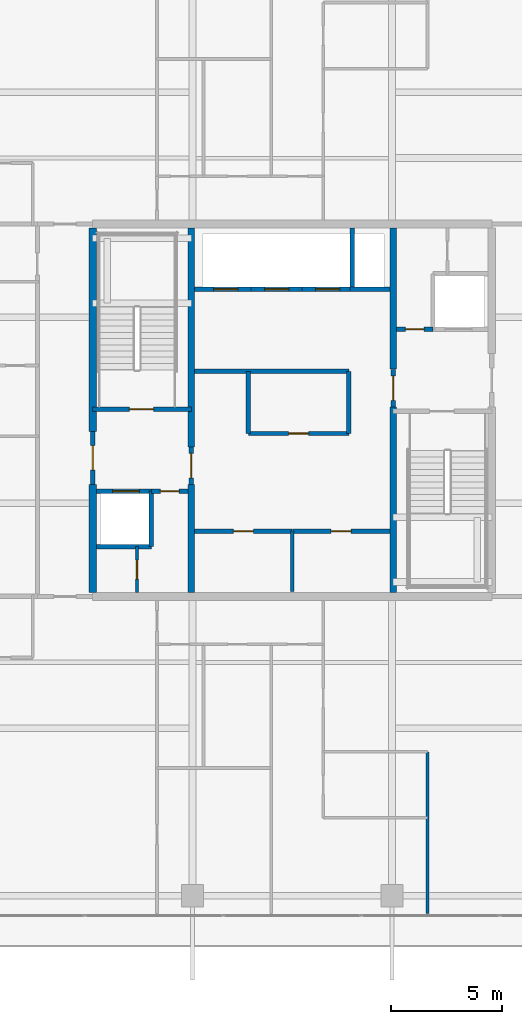
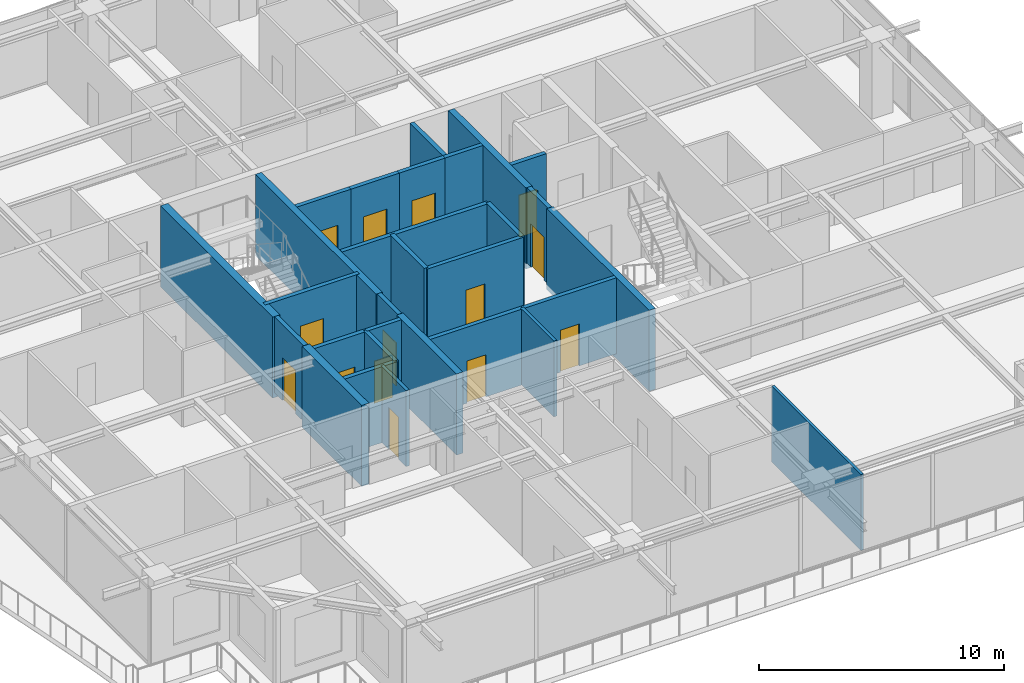
# One storey, part 27 of 37: 29 walls, 14 doors, 14 openings.
"""IFC4 building model written with IfcOpenShell, lengths in metres."""

from ifc_helpers import new_model, si_unit, direction, frame, frame_2d, origin, place, context, subcontext, project, spatial, rectangle, extrude, source, transform, mapped, material, layer, layer_set, type_object, element, fill, save


model = new_model("IFC4")

# Units and contexts
model_context = context("Model", 3, precision=1e-05, world=origin(), true_north=direction((0.0, 1.0)))
body_context = subcontext(model_context, "Body", "Model", "MODEL_VIEW")
ifc_project = project(units=[si_unit("LENGTHUNIT", "METRE"), si_unit("AREAUNIT", "SQUARE_METRE"), si_unit("VOLUMEUNIT", "CUBIC_METRE"), si_unit("PLANEANGLEUNIT", "RADIAN"), si_unit("MASSUNIT", "GRAM", prefix="KILO")], contexts=[model_context])

# Site, building, storey
site_placement = place(None, origin())
site = spatial("IfcSite", under=ifc_project, at=site_placement, CompositionType="ELEMENT")
building_placement = place(site_placement, origin())
building = spatial("IfcBuilding", under=site, at=building_placement, Name="Serunith Strait Residences", CompositionType="ELEMENT")
storey_placement = place(building_placement, frame((0.0, 0.0, 317.75)))
storey = spatial("IfcBuildingStorey", under=building, at=storey_placement, Name="L79", CompositionType="ELEMENT", Elevation=317.75)

# Wall, opening, door
ifc_material_1 = material(Name="Fire-rated masonry service closet wall", Category="masonry")
ifc_layer_1 = layer(ifc_material_1, 0.14990234375, Name="Fire-rated masonry service closet wall")
ifc_layer_set_1 = layer_set([ifc_layer_1], Name="Fire-rated masonry service closet wall")
wall_type_1 = type_object("IfcWallType", Name="IW-BOH-150", PredefinedType="PARTITIONING", material=ifc_layer_set_1)
wall_1_placement = place(storey_placement, frame((25.39990234375, 16.97509765625, 0.0), z_axis=(0.0, 0.0, 1.0), x_axis=(0.0, 1.0, 0.0)))
wall_1 = element("IfcWall", 1, at=wall_1_placement, inside=storey, type_object=wall_type_1, Name="L79 Partition Wall 011", PredefinedType="PARTITIONING", context=body_context, shape_type="SweptSolid", body=[
    extrude(rectangle(XDim=2.074951171875, YDim=0.14990234375, at=frame_2d((1.03759765625, 0.0))), origin(), (0.0, 0.0, 1.0), 3.7900390625),
])
opening_1_placement = place(wall_1_placement, frame((0.612060546875, 0.0, 0.0)))
opening_1 = element("IfcOpeningElement", 2, at=opening_1_placement, cuts=wall_1, Name="Opening FD-850", PredefinedType="OPENING", context=body_context, shape_type="SweptSolid", body=[
    extrude(rectangle(XDim=0.85009765625, YDim=2.10009765625, at=frame_2d((0.425048828125, 1.050048828125))), frame((0.0, 0.0849609375, 0.0), z_axis=(0.0, -1.0, 0.0), x_axis=(1.0, 0.0, 0.0)), (0.0, 0.0, 1.0), 0.169921875),
])
ifc_material_2 = material(Name="Powder-coated steel service closet door", Category="steel")
door_type_1 = type_object("IfcDoorType", Name="FD-BOH-850", OperationType="NOTDEFINED", PredefinedType="DOOR", material=ifc_material_2)
shared_shape_1 = source(origin(), body_context, "Body", "SweptSolid", [
    extrude(rectangle(XDim=0.85009765625, YDim=2.10009765625, at=frame_2d((0.425048828125, 1.050048828125))), frame((0.0, 0.02490234375, 0.0), z_axis=(0.0, -1.0, 0.0), x_axis=(1.0, 0.0, 0.0)), (0.0, 0.0, 1.0), 0.050048828125),
])
door_1_placement = place(opening_1_placement, origin())
door_1 = element("IfcDoor", 3, at=door_1_placement, inside=storey, type_object=door_type_1, Name="L79 Sprinkler Plant Door", OperationType="SINGLE_SWING_RIGHT", OverallHeight=2.10009765625, OverallWidth=0.85009765625, PredefinedType="DOOR", context=body_context, shape_type="MappedRepresentation", body=[
    mapped(shared_shape_1, transform((0.0, 0.0, 0.0), scale=1.0)),
])
fill(opening_1, door_1)

# Walls
wall_2_placement = place(storey_placement, frame((32.39990234375, 17.02001953125, 0.0), z_axis=(0.0, 0.0, 1.0), x_axis=(0.0, 1.0, 0.0)))
element("IfcWall", 4, at=wall_2_placement, inside=storey, type_object=wall_type_1, Name="L79 Partition Wall 015", PredefinedType="PARTITIONING", context=body_context, shape_type="SweptSolid", body=[
    extrude(rectangle(XDim=2.72998046875, YDim=0.14990234375, at=frame_2d((1.364990234375, 0.0))), origin(), (0.0, 0.0, 1.0), 3.7900390625),
])
ifc_material_3 = material(Name="Lightweight steel-stud gypsum partition", Category="steel")
ifc_layer_2 = layer(ifc_material_3, 0.1201171875, Name="Lightweight steel-stud gypsum partition")
ifc_layer_set_2 = layer_set([ifc_layer_2], Name="Lightweight steel-stud gypsum partition")
wall_type_2 = type_object("IfcWallType", Name="IW-PART-120", PredefinedType="PARTITIONING", material=ifc_layer_set_2)
wall_3_placement = place(storey_placement, frame((38.5, 2.4951171875, 0.0), z_axis=(0.0, 0.0, 1.0), x_axis=(0.0, 1.0, 0.0)))
element("IfcWall", 5, at=wall_3_placement, inside=storey, type_object=wall_type_2, Name="L79 Partition Wall 047", PredefinedType="PARTITIONING", context=body_context, shape_type="SweptSolid", body=[
    extrude(rectangle(XDim=7.2958984375, YDim=0.1201171875, at=frame_2d((3.64794921875, 0.0))), origin(), (0.0, 0.0, 1.0), 3.7900390625),
])

# Wall, opening, door
ifc_material_4 = material(Name="Autoclaved aerated concrete blockwork", Category="masonry")
ifc_layer_3 = layer(ifc_material_4, 0.199951171875, Name="Autoclaved aerated concrete blockwork")
ifc_layer_set_3 = layer_set([ifc_layer_3], Name="Autoclaved aerated concrete blockwork")
wall_type_3 = type_object("IfcWallType", Name="IW-SHAFT-200", PredefinedType="STANDARD", material=ifc_layer_set_3)
wall_4_placement = place(storey_placement, frame((23.39990234375, 25.25, 0.0), z_axis=(0.0, 0.0, 1.0), x_axis=(1.0, 0.0, 0.0)))
wall_4 = element("IfcWall", 6, at=wall_4_placement, inside=storey, type_object=wall_type_3, Name="L79 ST-1 South Shaft Wall", PredefinedType="STANDARD", context=body_context, shape_type="SweptSolid", body=[
    extrude(rectangle(XDim=4.4501953125, YDim=0.199951171875, at=frame_2d((2.22509765625, 0.0))), origin(), (0.0, 0.0, 1.0), 3.7900390625),
])
opening_2_placement = place(wall_4_placement, frame((1.64990234375, 0.0, 0.0)))
opening_2 = element("IfcOpeningElement", 7, at=opening_2_placement, cuts=wall_4, Name="Opening FD-1100", PredefinedType="OPENING", context=body_context, shape_type="SweptSolid", body=[
    extrude(rectangle(XDim=1.10009765625, YDim=2.14990234375, at=frame_2d((0.550048828125, 1.074951171875))), frame((0.0, 0.10986328125, 0.0), z_axis=(0.0, -1.0, 0.0), x_axis=(1.0, 0.0, 0.0)), (0.0, 0.0, 1.0), 0.219970703125),
])
ifc_material_5 = material(Name="Galvanised steel fire door leaf", Category="steel")
door_type_2 = type_object("IfcDoorType", Name="FD-STAIR-1100", OperationType="NOTDEFINED", PredefinedType="DOOR", material=ifc_material_5)
shared_shape_2 = source(origin(), body_context, "Body", "SweptSolid", [
    extrude(rectangle(XDim=1.10009765625, YDim=2.14990234375, at=frame_2d((0.550048828125, 1.074951171875))), frame((0.0, 0.02490234375, 0.0), z_axis=(0.0, -1.0, 0.0), x_axis=(1.0, 0.0, 0.0)), (0.0, 0.0, 1.0), 0.050048828125),
])
door_2_placement = place(opening_2_placement, origin())
door_2 = element("IfcDoor", 8, at=door_2_placement, inside=storey, type_object=door_type_2, Name="L79 ST-1 Escape Stair Door", OperationType="SINGLE_SWING_LEFT", OverallHeight=2.14990234375, OverallWidth=1.10009765625, PredefinedType="DOOR", context=body_context, shape_type="MappedRepresentation", body=[
    mapped(shared_shape_2, transform((0.0, 0.0, 0.0), scale=1.0)),
])
fill(opening_2, door_2)

wall_5_placement = place(storey_placement, frame((23.574951171875, 21.550048828125, 0.0), z_axis=(0.0, 0.0, 1.0), x_axis=(1.0, 0.0, 0.0)))
wall_5 = element("IfcWall", 9, at=wall_5_placement, inside=storey, type_object=wall_type_3, Name="L79 FL-1 North Shaft Wall", PredefinedType="STANDARD", context=body_context, shape_type="SweptSolid", body=[
    extrude(rectangle(XDim=2.47509765625, YDim=0.199951171875, at=frame_2d((1.237548828125, 0.0))), origin(), (0.0, 0.0, 1.0), 3.7900390625),
])
opening_3_placement = place(wall_5_placement, frame((0.72509765625, 0.0, 0.0)))
opening_3 = element("IfcOpeningElement", 10, at=opening_3_placement, cuts=wall_5, Name="Opening LD-FF1200", PredefinedType="OPENING", context=body_context, shape_type="SweptSolid", body=[
    extrude(rectangle(XDim=1.199951171875, YDim=2.199951171875, at=frame_2d((0.60009765625, 1.10009765625))), frame((0.0, 0.10986328125, 0.0), z_axis=(0.0, -1.0, 0.0), x_axis=(1.0, 0.0, 0.0)), (0.0, 0.0, 1.0), 0.219970703125),
])
ifc_material_6 = material(Name="Brushed stainless steel landing door", Category="steel")
door_type_3 = type_object("IfcDoorType", Name="LD-FF-1200", OperationType="DOUBLE_DOOR_SLIDING", PredefinedType="DOOR", material=ifc_material_6)
shared_shape_3 = source(origin(), body_context, "Body", "SweptSolid", [
    extrude(rectangle(XDim=1.199951171875, YDim=2.199951171875, at=frame_2d((0.60009765625, 1.10009765625))), frame((0.0, 0.02490234375, 0.0), z_axis=(0.0, -1.0, 0.0), x_axis=(1.0, 0.0, 0.0)), (0.0, 0.0, 1.0), 0.050048828125),
])
door_3_placement = place(opening_3_placement, origin())
door_3 = element("IfcDoor", 11, at=door_3_placement, inside=storey, type_object=door_type_3, Name="L79 FL-1 Landing Door", OperationType="DOUBLE_DOOR_SLIDING", OverallHeight=2.199951171875, OverallWidth=1.199951171875, PredefinedType="DOOR", context=body_context, shape_type="MappedRepresentation", body=[
    mapped(shared_shape_3, transform((0.0, 0.0, 0.0), scale=1.0)),
])
fill(opening_3, door_3)

wall_6_placement = place(storey_placement, frame((28.0, 30.64990234375, 0.0), z_axis=(0.0, 0.0, 1.0), x_axis=(1.0, 0.0, 0.0)))
wall_6 = element("IfcWall", 12, at=wall_6_placement, inside=storey, type_object=wall_type_3, Name="L79 PL-7 South Shaft Wall", PredefinedType="STANDARD", context=body_context, shape_type="SweptSolid", body=[
    extrude(rectangle(XDim=2.550048828125, YDim=0.199951171875, at=frame_2d((1.27490234375, 0.0))), origin(), (0.0, 0.0, 1.0), 3.7900390625),
])
opening_4_placement = place(wall_6_placement, frame((0.85009765625, 0.0, 0.0)))
opening_4 = element("IfcOpeningElement", 13, at=opening_4_placement, cuts=wall_6, Name="Opening LD-1100", PredefinedType="OPENING", context=body_context, shape_type="SweptSolid", body=[
    extrude(rectangle(XDim=1.10009765625, YDim=2.199951171875, at=frame_2d((0.550048828125, 1.10009765625))), frame((0.0, 0.10986328125, 0.0), z_axis=(0.0, -1.0, 0.0), x_axis=(1.0, 0.0, 0.0)), (0.0, 0.0, 1.0), 0.219970703125),
])
ifc_material_7 = material(Name="Pale-champagne stainless landing door")
door_type_4 = type_object("IfcDoorType", Name="LD-LIFT-1100", OperationType="DOUBLE_DOOR_SLIDING", PredefinedType="DOOR", material=ifc_material_7)
shared_shape_4 = source(origin(), body_context, "Body", "SweptSolid", [
    extrude(rectangle(XDim=1.10009765625, YDim=2.199951171875, at=frame_2d((0.550048828125, 1.10009765625))), frame((0.0, 0.02490234375, 0.0), z_axis=(0.0, -1.0, 0.0), x_axis=(1.0, 0.0, 0.0)), (0.0, 0.0, 1.0), 0.050048828125),
])
door_4_placement = place(opening_4_placement, origin())
door_4 = element("IfcDoor", 14, at=door_4_placement, inside=storey, type_object=door_type_4, Name="L79 PL-7 Landing Door", OperationType="DOUBLE_DOOR_SLIDING", OverallHeight=2.199951171875, OverallWidth=1.10009765625, PredefinedType="DOOR", context=body_context, shape_type="MappedRepresentation", body=[
    mapped(shared_shape_4, transform((0.0, 0.0, 0.0), scale=1.0)),
])
fill(opening_4, door_4)

wall_7_placement = place(storey_placement, frame((30.550048828125, 30.64990234375, 0.0), z_axis=(0.0, 0.0, 1.0), x_axis=(1.0, 0.0, 0.0)))
wall_7 = element("IfcWall", 15, at=wall_7_placement, inside=storey, type_object=wall_type_3, Name="L79 PL-8 South Shaft Wall", PredefinedType="STANDARD", context=body_context, shape_type="SweptSolid", body=[
    extrude(rectangle(XDim=2.300048828125, YDim=0.199951171875, at=frame_2d((1.14990234375, 0.0))), origin(), (0.0, 0.0, 1.0), 3.7900390625),
])
opening_5_placement = place(wall_7_placement, frame((0.60009765625, 0.0, 0.0)))
opening_5 = element("IfcOpeningElement", 16, at=opening_5_placement, cuts=wall_7, Name="Opening LD-1100", PredefinedType="OPENING", context=body_context, shape_type="SweptSolid", body=[
    extrude(rectangle(XDim=1.10009765625, YDim=2.199951171875, at=frame_2d((0.550048828125, 1.10009765625))), frame((0.0, 0.10986328125, 0.0), z_axis=(0.0, -1.0, 0.0), x_axis=(1.0, 0.0, 0.0)), (0.0, 0.0, 1.0), 0.219970703125),
])
door_5_placement = place(opening_5_placement, origin())
door_5 = element("IfcDoor", 17, at=door_5_placement, inside=storey, type_object=door_type_4, Name="L79 PL-8 Landing Door", OperationType="DOUBLE_DOOR_SLIDING", OverallHeight=2.199951171875, OverallWidth=1.10009765625, PredefinedType="DOOR", context=body_context, shape_type="MappedRepresentation", body=[
    mapped(shared_shape_4, transform((0.0, 0.0, 0.0), scale=1.0)),
])
fill(opening_5, door_5)

wall_8_placement = place(storey_placement, frame((32.85009765625, 30.64990234375, 0.0), z_axis=(0.0, 0.0, 1.0), x_axis=(1.0, 0.0, 0.0)))
wall_8 = element("IfcWall", 18, at=wall_8_placement, inside=storey, type_object=wall_type_3, Name="L79 PL-9 South Shaft Wall", PredefinedType="STANDARD", context=body_context, shape_type="SweptSolid", body=[
    extrude(rectangle(XDim=2.14990234375, YDim=0.199951171875, at=frame_2d((1.074951171875, 0.0))), origin(), (0.0, 0.0, 1.0), 3.7900390625),
])
opening_6_placement = place(wall_8_placement, frame((0.60009765625, 0.0, 0.0)))
opening_6 = element("IfcOpeningElement", 19, at=opening_6_placement, cuts=wall_8, Name="Opening LD-1100", PredefinedType="OPENING", context=body_context, shape_type="SweptSolid", body=[
    extrude(rectangle(XDim=1.10009765625, YDim=2.199951171875, at=frame_2d((0.550048828125, 1.10009765625))), frame((0.0, 0.10986328125, 0.0), z_axis=(0.0, -1.0, 0.0), x_axis=(1.0, 0.0, 0.0)), (0.0, 0.0, 1.0), 0.219970703125),
])
door_6_placement = place(opening_6_placement, origin())
door_6 = element("IfcDoor", 20, at=door_6_placement, inside=storey, type_object=door_type_4, Name="L79 PL-9 Landing Door", OperationType="DOUBLE_DOOR_SLIDING", OverallHeight=2.199951171875, OverallWidth=1.10009765625, PredefinedType="DOOR", context=body_context, shape_type="MappedRepresentation", body=[
    mapped(shared_shape_4, transform((0.0, 0.0, 0.0), scale=1.0)),
])
fill(opening_6, door_6)

# Walls
wall_9_placement = place(storey_placement, frame((35.0, 30.64990234375, 0.0), z_axis=(0.0, 0.0, 1.0), x_axis=(1.0, 0.0, 0.0)))
element("IfcWall", 21, at=wall_9_placement, inside=storey, type_object=wall_type_3, Name="L79 SL-1 South Shaft Wall", PredefinedType="STANDARD", context=body_context, shape_type="SweptSolid", body=[
    extrude(rectangle(XDim=1.800048828125, YDim=0.199951171875, at=frame_2d((0.89990234375, 0.0))), origin(), (0.0, 0.0, 1.0), 3.7900390625),
])
wall_10_placement = place(storey_placement, frame((35.10009765625, 30.75, 0.0), z_axis=(0.0, 0.0, 1.0), x_axis=(0.0, 1.0, 0.0)))
element("IfcWall", 22, at=wall_10_placement, inside=storey, type_object=wall_type_3, Name="L79 SL-1 West Shaft Wall", PredefinedType="STANDARD", context=body_context, shape_type="SweptSolid", body=[
    extrude(rectangle(XDim=2.675048828125, YDim=0.199951171875, at=frame_2d((1.33740234375, 0.0))), origin(), (0.0, 0.0, 1.0), 3.7900390625),
])
wall_11_placement = place(storey_placement, frame((26.050048828125, 19.050048828125, 0.0), z_axis=(0.0, 0.0, 1.0), x_axis=(0.0, 1.0, 0.0)))
element("IfcWall", 23, at=wall_11_placement, inside=storey, type_object=wall_type_3, Name="L79 Partition Wall 001", PredefinedType="STANDARD", context=body_context, shape_type="SweptSolid", body=[
    extrude(rectangle(XDim=2.5, YDim=0.199951171875, at=frame_2d((1.25, 0.0))), origin(), (0.0, 0.0, 1.0), 3.7900390625),
])
wall_12_placement = place(storey_placement, frame((23.574951171875, 19.050048828125, 0.0), z_axis=(0.0, 0.0, 1.0), x_axis=(1.0, 0.0, 0.0)))
element("IfcWall", 24, at=wall_12_placement, inside=storey, type_object=wall_type_3, Name="L79 Partition Wall 002", PredefinedType="STANDARD", context=body_context, shape_type="SweptSolid", body=[
    extrude(rectangle(XDim=2.47509765625, YDim=0.199951171875, at=frame_2d((1.237548828125, 0.0))), origin(), (0.0, 0.0, 1.0), 3.7900390625),
])

# Wall, opening, door
wall_13_placement = place(storey_placement, frame((26.052001953125, 21.550048828125, 0.0), z_axis=(0.0, 0.0, 1.0), x_axis=(1.0, 0.0, 0.0)))
wall_13 = element("IfcWall", 25, at=wall_13_placement, inside=storey, type_object=wall_type_3, Name="L79 Partition Wall 003", PredefinedType="STANDARD", context=body_context, shape_type="SweptSolid", body=[
    extrude(rectangle(XDim=1.64794921875, YDim=0.199951171875, at=frame_2d((0.823974609375, 0.0))), origin(), (0.0, 0.0, 1.0), 3.7900390625),
])
opening_7_placement = place(wall_13_placement, frame((0.39892578125, 0.0, 0.0)))
opening_7 = element("IfcOpeningElement", 26, at=opening_7_placement, cuts=wall_13, Name="Opening FD-850", PredefinedType="OPENING", context=body_context, shape_type="SweptSolid", body=[
    extrude(rectangle(XDim=0.85009765625, YDim=2.10009765625, at=frame_2d((0.425048828125, 1.050048828125))), frame((0.0, 0.10986328125, 0.0), z_axis=(0.0, -1.0, 0.0), x_axis=(1.0, 0.0, 0.0)), (0.0, 0.0, 1.0), 0.219970703125),
])
door_7_placement = place(opening_7_placement, origin())
door_7 = element("IfcDoor", 27, at=door_7_placement, inside=storey, type_object=door_type_1, Name="L79 South-West Core Service Door", OperationType="SINGLE_SWING_RIGHT", OverallHeight=2.10009765625, OverallWidth=0.85009765625, PredefinedType="DOOR", context=body_context, shape_type="MappedRepresentation", body=[
    mapped(shared_shape_1, transform((0.0, 0.0, 0.0), scale=1.0)),
])
fill(opening_7, door_7)

wall_14_placement = place(storey_placement, frame((37.10009765625, 28.85009765625, 0.0), z_axis=(0.0, 0.0, 1.0), x_axis=(1.0, 0.0, 0.0)))
wall_14 = element("IfcWall", 28, at=wall_14_placement, inside=storey, type_object=wall_type_3, Name="L79 Partition Wall 006", PredefinedType="STANDARD", context=body_context, shape_type="SweptSolid", body=[
    extrude(rectangle(XDim=1.64794921875, YDim=0.199951171875, at=frame_2d((0.823974609375, 0.0))), origin(), (0.0, 0.0, 1.0), 3.7900390625),
])
opening_8_placement = place(wall_14_placement, frame((0.39892578125, 0.0, 0.0)))
opening_8 = element("IfcOpeningElement", 29, at=opening_8_placement, cuts=wall_14, Name="Opening FD-850", PredefinedType="OPENING", context=body_context, shape_type="SweptSolid", body=[
    extrude(rectangle(XDim=0.85009765625, YDim=2.10009765625, at=frame_2d((0.425048828125, 1.050048828125))), frame((0.0, 0.10986328125, 0.0), z_axis=(0.0, -1.0, 0.0), x_axis=(1.0, 0.0, 0.0)), (0.0, 0.0, 1.0), 0.219970703125),
])
door_8_placement = place(opening_8_placement, origin())
door_8 = element("IfcDoor", 30, at=door_8_placement, inside=storey, type_object=door_type_1, Name="L79 North-East Core Service Door", OperationType="SINGLE_SWING_LEFT", OverallHeight=2.10009765625, OverallWidth=0.85009765625, PredefinedType="DOOR", context=body_context, shape_type="MappedRepresentation", body=[
    mapped(shared_shape_1, transform((0.0, 0.0, 0.0), scale=1.0)),
])
fill(opening_8, door_8)

wall_15_placement = place(storey_placement, frame((23.39990234375, 21.85205078125, 0.0), z_axis=(0.0, 0.0, 1.0), x_axis=(0.0, 1.0, 0.0)))
wall_15 = element("IfcWall", 31, at=wall_15_placement, inside=storey, type_object=wall_type_3, Name="L79 Partition Wall 007", PredefinedType="STANDARD", context=body_context, shape_type="SweptSolid", body=[
    extrude(rectangle(XDim=2.39599609375, YDim=0.199951171875, at=frame_2d((1.197998046875, 0.0))), origin(), (0.0, 0.0, 1.0), 3.7900390625),
])
opening_9_placement = place(wall_15_placement, frame((0.64794921875, 0.0, 0.0)))
opening_9 = element("IfcOpeningElement", 32, at=opening_9_placement, cuts=wall_15, Name="Opening FD-FFL", PredefinedType="OPENING", context=body_context, shape_type="SweptSolid", body=[
    extrude(rectangle(XDim=1.10009765625, YDim=2.14990234375, at=frame_2d((0.550048828125, 1.074951171875))), frame((0.0, 0.10986328125, 0.0), z_axis=(0.0, -1.0, 0.0), x_axis=(1.0, 0.0, 0.0)), (0.0, 0.0, 1.0), 0.219970703125),
])
ifc_material_8 = material(Name="Glazed steel smoke-lobby fire door", Category="steel")
door_type_5 = type_object("IfcDoorType", Name="FD-FFL-1100", OperationType="NOTDEFINED", PredefinedType="DOOR", material=ifc_material_8)
door_9_placement = place(opening_9_placement, origin())
door_9 = element("IfcDoor", 33, at=door_9_placement, inside=storey, type_object=door_type_5, Name="L79 FFL-1 Corridor Fire Door", OperationType="SINGLE_SWING_RIGHT", OverallHeight=2.14990234375, OverallWidth=1.10009765625, PredefinedType="DOOR", context=body_context, shape_type="MappedRepresentation", body=[
    mapped(shared_shape_2, transform((0.0, 0.0, 0.0), scale=1.0)),
])
fill(opening_9, door_9)

wall_16_placement = place(storey_placement, frame((27.85009765625, 21.85205078125, 0.0), z_axis=(0.0, 0.0, 1.0), x_axis=(0.0, 1.0, 0.0)))
wall_16 = element("IfcWall", 34, at=wall_16_placement, inside=storey, type_object=wall_type_3, Name="L79 Partition Wall 009", PredefinedType="STANDARD", context=body_context, shape_type="SweptSolid", body=[
    extrude(rectangle(XDim=1.696044921875, YDim=0.199951171875, at=frame_2d((0.84814453125, 0.0))), origin(), (0.0, 0.0, 1.0), 3.7900390625),
])
opening_10_placement = place(wall_16_placement, frame((0.298095703125, 0.0, 0.0)))
opening_10 = element("IfcOpeningElement", 35, at=opening_10_placement, cuts=wall_16, Name="Opening FD-FFL", PredefinedType="OPENING", context=body_context, shape_type="SweptSolid", body=[
    extrude(rectangle(XDim=1.10009765625, YDim=2.14990234375, at=frame_2d((0.550048828125, 1.074951171875))), frame((0.0, 0.10986328125, 0.0), z_axis=(0.0, -1.0, 0.0), x_axis=(1.0, 0.0, 0.0)), (0.0, 0.0, 1.0), 0.219970703125),
])
door_10_placement = place(opening_10_placement, origin())
door_10 = element("IfcDoor", 36, at=door_10_placement, inside=storey, type_object=door_type_5, Name="L79 FFL-1 Lift Lobby Door", OperationType="SINGLE_SWING_RIGHT", OverallHeight=2.14990234375, OverallWidth=1.10009765625, PredefinedType="DOOR", context=body_context, shape_type="MappedRepresentation", body=[
    mapped(shared_shape_2, transform((0.0, 0.0, 0.0), scale=1.0)),
])
fill(opening_10, door_10)

wall_17_placement = place(storey_placement, frame((36.949951171875, 25.35205078125, 0.0), z_axis=(0.0, 0.0, 1.0), x_axis=(0.0, 1.0, 0.0)))
wall_17 = element("IfcWall", 37, at=wall_17_placement, inside=storey, type_object=wall_type_3, Name="L79 Partition Wall 010", PredefinedType="STANDARD", context=body_context, shape_type="SweptSolid", body=[
    extrude(rectangle(XDim=1.696044921875, YDim=0.199951171875, at=frame_2d((0.84814453125, 0.0))), origin(), (0.0, 0.0, 1.0), 3.7900390625),
])
opening_11_placement = place(wall_17_placement, frame((0.298095703125, 0.0, 0.0)))
opening_11 = element("IfcOpeningElement", 38, at=opening_11_placement, cuts=wall_17, Name="Opening FD-FFL", PredefinedType="OPENING", context=body_context, shape_type="SweptSolid", body=[
    extrude(rectangle(XDim=1.10009765625, YDim=2.14990234375, at=frame_2d((0.550048828125, 1.074951171875))), frame((0.0, 0.10986328125, 0.0), z_axis=(0.0, -1.0, 0.0), x_axis=(1.0, 0.0, 0.0)), (0.0, 0.0, 1.0), 0.219970703125),
])
door_11_placement = place(opening_11_placement, origin())
door_11 = element("IfcDoor", 39, at=door_11_placement, inside=storey, type_object=door_type_5, Name="L79 FFL-2 Lift Lobby Door", OperationType="SINGLE_SWING_LEFT", OverallHeight=2.14990234375, OverallWidth=1.10009765625, PredefinedType="DOOR", context=body_context, shape_type="MappedRepresentation", body=[
    mapped(shared_shape_2, transform((0.0, 0.0, 0.0), scale=1.0)),
])
fill(opening_11, door_11)

wall_18_placement = place(storey_placement, frame((28.0, 19.75, 0.0), z_axis=(0.0, 0.0, 1.0), x_axis=(1.0, 0.0, 0.0)))
wall_18 = element("IfcWall", 40, at=wall_18_placement, inside=storey, type_object=wall_type_3, Name="L79 Partition Wall 013", PredefinedType="STANDARD", context=body_context, shape_type="SweptSolid", body=[
    extrude(rectangle(XDim=4.39990234375, YDim=0.199951171875, at=frame_2d((2.199951171875, 0.0))), origin(), (0.0, 0.0, 1.0), 3.7900390625),
])
opening_12_placement = place(wall_18_placement, frame((1.75, 0.0, 0.0)))
opening_12 = element("IfcOpeningElement", 41, at=opening_12_placement, cuts=wall_18, Name="Opening FD-900", PredefinedType="OPENING", context=body_context, shape_type="SweptSolid", body=[
    extrude(rectangle(XDim=0.89990234375, YDim=2.10009765625, at=frame_2d((0.449951171875, 1.050048828125))), frame((0.0, 0.10986328125, 0.0), z_axis=(0.0, -1.0, 0.0), x_axis=(1.0, 0.0, 0.0)), (0.0, 0.0, 1.0), 0.219970703125),
])
ifc_material_9 = material(Name="Powder-coated steel riser door", Category="steel")
door_type_6 = type_object("IfcDoorType", Name="FD-BOH-900", OperationType="NOTDEFINED", PredefinedType="DOOR", material=ifc_material_9)
shared_shape_5 = source(origin(), body_context, "Body", "SweptSolid", [
    extrude(rectangle(XDim=0.89990234375, YDim=2.10009765625, at=frame_2d((0.449951171875, 1.050048828125))), frame((0.0, 0.02490234375, 0.0), z_axis=(0.0, -1.0, 0.0), x_axis=(1.0, 0.0, 0.0)), (0.0, 0.0, 1.0), 0.050048828125),
])
door_12_placement = place(opening_12_placement, origin())
door_12 = element("IfcDoor", 42, at=door_12_placement, inside=storey, type_object=door_type_6, Name="L79 Fan-Coil Plant Door", OperationType="SINGLE_SWING_RIGHT", OverallHeight=2.10009765625, OverallWidth=0.89990234375, PredefinedType="DOOR", context=body_context, shape_type="MappedRepresentation", body=[
    mapped(shared_shape_5, transform((0.0, 0.0, 0.0), scale=1.0)),
])
fill(opening_12, door_12)

wall_19_placement = place(storey_placement, frame((32.402099609375, 19.75, 0.0), z_axis=(0.0, 0.0, 1.0), x_axis=(1.0, 0.0, 0.0)))
wall_19 = element("IfcWall", 43, at=wall_19_placement, inside=storey, type_object=wall_type_3, Name="L79 Partition Wall 014", PredefinedType="STANDARD", context=body_context, shape_type="SweptSolid", body=[
    extrude(rectangle(XDim=4.39794921875, YDim=0.199951171875, at=frame_2d((2.198974609375, 0.0))), origin(), (0.0, 0.0, 1.0), 3.7900390625),
])
opening_13_placement = place(wall_19_placement, frame((1.7490234375, 0.0, 0.0)))
opening_13 = element("IfcOpeningElement", 44, at=opening_13_placement, cuts=wall_19, Name="Opening FD-900", PredefinedType="OPENING", context=body_context, shape_type="SweptSolid", body=[
    extrude(rectangle(XDim=0.89990234375, YDim=2.10009765625, at=frame_2d((0.449951171875, 1.050048828125))), frame((0.0, 0.10986328125, 0.0), z_axis=(0.0, -1.0, 0.0), x_axis=(1.0, 0.0, 0.0)), (0.0, 0.0, 1.0), 0.219970703125),
])
door_13_placement = place(opening_13_placement, origin())
door_13 = element("IfcDoor", 45, at=door_13_placement, inside=storey, type_object=door_type_6, Name="L79 Battery UPS Plant Door", OperationType="SINGLE_SWING_LEFT", OverallHeight=2.10009765625, OverallWidth=0.89990234375, PredefinedType="DOOR", context=body_context, shape_type="MappedRepresentation", body=[
    mapped(shared_shape_5, transform((0.0, 0.0, 0.0), scale=1.0)),
])
fill(opening_13, door_13)

# Walls
wall_20_placement = place(storey_placement, frame((28.0, 26.949951171875, 0.0), z_axis=(0.0, 0.0, 1.0), x_axis=(1.0, 0.0, 0.0)))
element("IfcWall", 46, at=wall_20_placement, inside=storey, type_object=wall_type_3, Name="L79 Partition Wall 016", PredefinedType="STANDARD", context=body_context, shape_type="SweptSolid", body=[
    extrude(rectangle(XDim=6.949951171875, YDim=0.199951171875, at=frame_2d((3.47509765625, 0.0))), origin(), (0.0, 0.0, 1.0), 3.7900390625),
])
wall_21_placement = place(storey_placement, frame((34.949951171875, 24.14990234375, 0.0), z_axis=(0.0, 0.0, 1.0), x_axis=(0.0, 1.0, 0.0)))
element("IfcWall", 47, at=wall_21_placement, inside=storey, type_object=wall_type_3, Name="L79 Partition Wall 017", PredefinedType="STANDARD", context=body_context, shape_type="SweptSolid", body=[
    extrude(rectangle(XDim=2.800048828125, YDim=0.199951171875, at=frame_2d((1.39990234375, 0.0))), origin(), (0.0, 0.0, 1.0), 3.7900390625),
])

# Wall, opening, door
wall_22_placement = place(storey_placement, frame((30.419921875, 24.14990234375, 0.0), z_axis=(0.0, 0.0, 1.0), x_axis=(1.0, 0.0, 0.0)))
wall_22 = element("IfcWall", 48, at=wall_22_placement, inside=storey, type_object=wall_type_3, Name="L79 Partition Wall 018", PredefinedType="STANDARD", context=body_context, shape_type="SweptSolid", body=[
    extrude(rectangle(XDim=4.530029296875, YDim=0.199951171875, at=frame_2d((2.26513671875, 0.0))), origin(), (0.0, 0.0, 1.0), 3.7900390625),
])
opening_14_placement = place(wall_22_placement, frame((1.81494140625, 0.0, 0.0)))
opening_14 = element("IfcOpeningElement", 49, at=opening_14_placement, cuts=wall_22, Name="Opening FD-900", PredefinedType="OPENING", context=body_context, shape_type="SweptSolid", body=[
    extrude(rectangle(XDim=0.89990234375, YDim=2.10009765625, at=frame_2d((0.449951171875, 1.050048828125))), frame((0.0, 0.10986328125, 0.0), z_axis=(0.0, -1.0, 0.0), x_axis=(1.0, 0.0, 0.0)), (0.0, 0.0, 1.0), 0.219970703125),
])
door_14_placement = place(opening_14_placement, origin())
door_14 = element("IfcDoor", 50, at=door_14_placement, inside=storey, type_object=door_type_6, Name="L79 Housekeeping Linen Door", OperationType="SINGLE_SWING_RIGHT", OverallHeight=2.10009765625, OverallWidth=0.89990234375, PredefinedType="DOOR", context=body_context, shape_type="MappedRepresentation", body=[
    mapped(shared_shape_5, transform((0.0, 0.0, 0.0), scale=1.0)),
])
fill(opening_14, door_14)

# Walls
wall_23_placement = place(storey_placement, frame((30.419921875, 24.14990234375, 0.0), z_axis=(0.0, 0.0, 1.0), x_axis=(0.0, 1.0, 0.0)))
element("IfcWall", 51, at=wall_23_placement, inside=storey, type_object=wall_type_3, Name="L79 Partition Wall 019", PredefinedType="STANDARD", context=body_context, shape_type="SweptSolid", body=[
    extrude(rectangle(XDim=2.800048828125, YDim=0.199951171875, at=frame_2d((1.39990234375, 0.0))), origin(), (0.0, 0.0, 1.0), 3.7900390625),
])
ifc_material_10 = material(Name="Concrete C60/75", Category="concrete")
ifc_layer_4 = layer(ifc_material_10, 0.300048828125, Name="Concrete C60/75")
ifc_layer_set_4 = layer_set([ifc_layer_4], Name="Concrete C60/75")
wall_type_4 = type_object("IfcWallType", Name="SW-300-C60", PredefinedType="SHEAR", material=ifc_layer_set_4)
wall_24_placement = place(storey_placement, frame((27.85009765625, 16.97509765625, -0.260009765625), z_axis=(0.0, 0.0, 1.0), x_axis=(0.0, 1.0, 0.0)))
element("IfcWall", 52, at=wall_24_placement, inside=storey, type_object=wall_type_4, Name="L79 Core Internal West Web South Pier", PredefinedType="SHEAR", context=body_context, shape_type="SweptSolid", body=[
    extrude(rectangle(XDim=4.875, YDim=0.300048828125, at=frame_2d((2.4375, 0.0))), origin(), (0.0, 0.0, 1.0), 4.048095703125),
])
wall_25_placement = place(storey_placement, frame((27.85009765625, 23.550048828125, -0.260009765625), z_axis=(0.0, 0.0, 1.0), x_axis=(0.0, 1.0, 0.0)))
element("IfcWall", 53, at=wall_25_placement, inside=storey, type_object=wall_type_4, Name="L79 Core Internal West Web North Pier", PredefinedType="SHEAR", context=body_context, shape_type="SweptSolid", body=[
    extrude(rectangle(XDim=9.875, YDim=0.300048828125, at=frame_2d((4.9375, 0.0))), origin(), (0.0, 0.0, 1.0), 4.048095703125),
])
wall_26_placement = place(storey_placement, frame((36.949951171875, 16.97509765625, -0.260009765625), z_axis=(0.0, 0.0, 1.0), x_axis=(0.0, 1.0, 0.0)))
element("IfcWall", 54, at=wall_26_placement, inside=storey, type_object=wall_type_4, Name="L79 Core Internal East Web South Pier", PredefinedType="SHEAR", context=body_context, shape_type="SweptSolid", body=[
    extrude(rectangle(XDim=8.375, YDim=0.300048828125, at=frame_2d((4.1875, 0.0))), origin(), (0.0, 0.0, 1.0), 4.048095703125),
])
wall_27_placement = place(storey_placement, frame((36.949951171875, 27.050048828125, -0.260009765625), z_axis=(0.0, 0.0, 1.0), x_axis=(0.0, 1.0, 0.0)))
element("IfcWall", 55, at=wall_27_placement, inside=storey, type_object=wall_type_4, Name="L79 Core Internal East Web North Pier", PredefinedType="SHEAR", context=body_context, shape_type="SweptSolid", body=[
    extrude(rectangle(XDim=6.375, YDim=0.300048828125, at=frame_2d((3.1875, 0.0))), origin(), (0.0, 0.0, 1.0), 4.048095703125),
])
ifc_layer_5 = layer(ifc_material_10, 0.35009765625, Name="Concrete C60/75")
ifc_layer_set_5 = layer_set([ifc_layer_5], Name="Concrete C60/75")
wall_type_5 = type_object("IfcWallType", Name="SW-350-C60", PredefinedType="SHEAR", material=ifc_layer_set_5)
wall_28_placement = place(storey_placement, frame((23.39990234375, 16.97509765625, -0.260009765625), z_axis=(0.0, 0.0, 1.0), x_axis=(0.0, 1.0, 0.0)))
element("IfcWall", 56, at=wall_28_placement, inside=storey, type_object=wall_type_5, Name="L79 Core West Shear Wall South Pier", PredefinedType="SHEAR", context=body_context, shape_type="SweptSolid", body=[
    extrude(rectangle(XDim=4.875, YDim=0.35009765625, at=frame_2d((2.4375, 0.0))), origin(), (0.0, 0.0, 1.0), 4.048095703125),
])
wall_29_placement = place(storey_placement, frame((23.39990234375, 24.25, -0.260009765625), z_axis=(0.0, 0.0, 1.0), x_axis=(0.0, 1.0, 0.0)))
element("IfcWall", 57, at=wall_29_placement, inside=storey, type_object=wall_type_5, Name="L79 Core West Shear Wall North Pier", PredefinedType="SHEAR", context=body_context, shape_type="SweptSolid", body=[
    extrude(rectangle(XDim=9.175048828125, YDim=0.35009765625, at=frame_2d((4.58740234375, 0.0))), origin(), (0.0, 0.0, 1.0), 4.048095703125),
])

save(model, "model.ifc")
